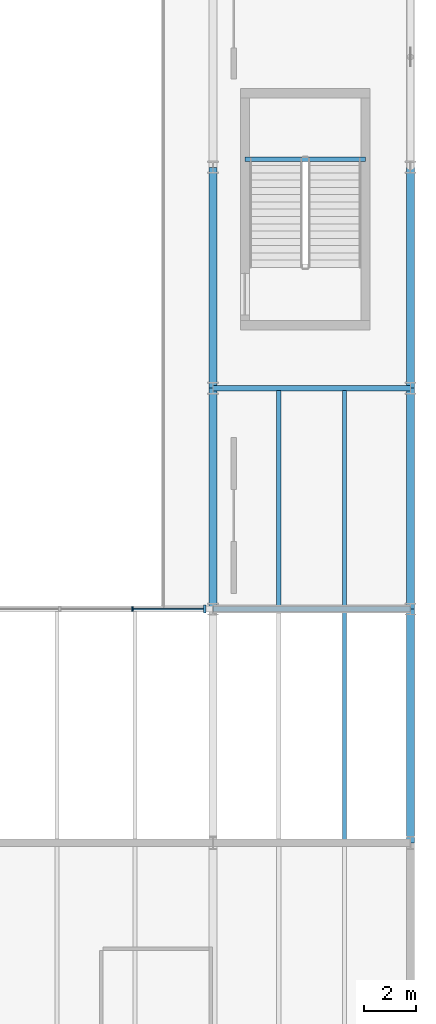
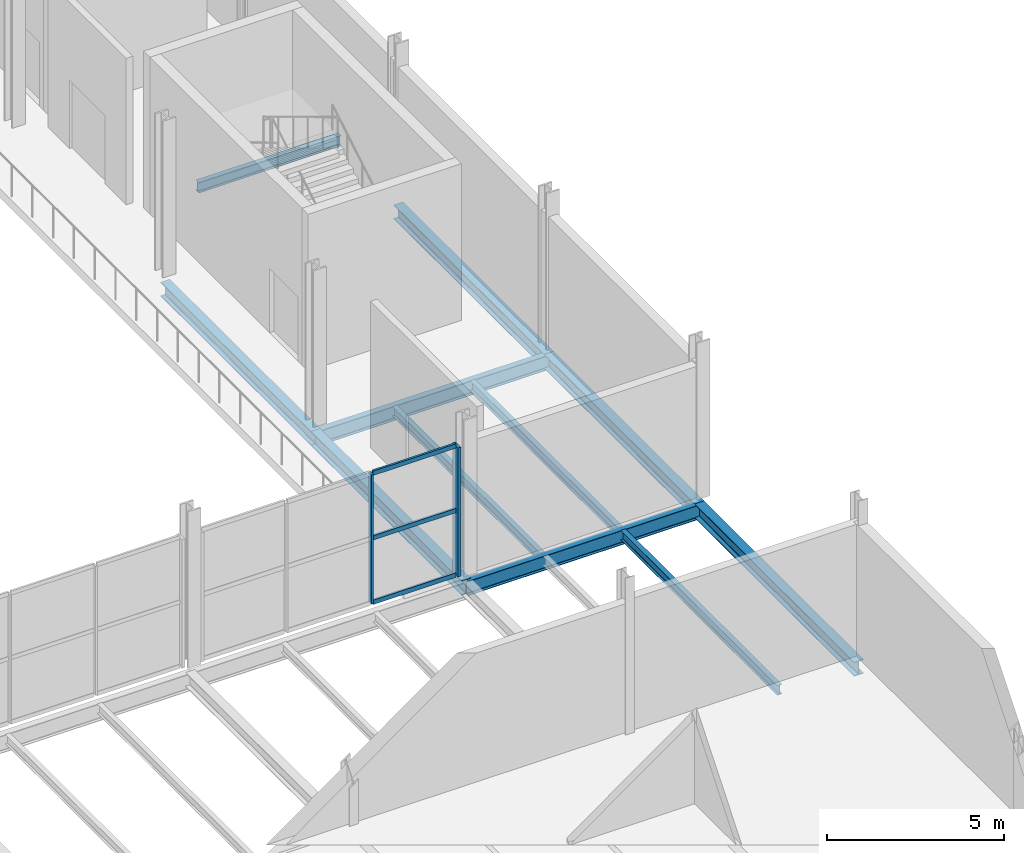
# One storey, part 37 of 78: 11 beams, 5 members, 1 element without a shape of its own.
"""IFC4 building model written with IfcOpenShell, lengths in metres."""

from ifc_helpers import new_model, si_unit, direction, frame, origin, origin_2d, place, context, subcontext, project, spatial, rectangle, i_section, extrude, material, layer, layer_set, material_profile, profile_set, type_object, element, aggregate, save


model = new_model("IFC4")

# Units and contexts
model_context = context("Model", 3, precision=1e-05, world=origin(), true_north=direction((0.0, 1.0)))
body_context = subcontext(model_context, "Body", "Model", "MODEL_VIEW")
ifc_project = project(units=[si_unit("LENGTHUNIT", "METRE"), si_unit("AREAUNIT", "SQUARE_METRE"), si_unit("VOLUMEUNIT", "CUBIC_METRE"), si_unit("PLANEANGLEUNIT", "RADIAN"), si_unit("MASSUNIT", "GRAM", prefix="KILO")], contexts=[model_context])

# Site, building, storey
site_placement = place(None, origin())
site = spatial("IfcSite", under=ifc_project, at=site_placement, CompositionType="ELEMENT")
building_placement = place(site_placement, origin())
building = spatial("IfcBuilding", under=site, at=building_placement, Name="Sefraquen Railside Congress Hotel", CompositionType="ELEMENT")
storey_placement = place(building_placement, frame((0.0, 0.0, 6.0)))
storey = spatial("IfcBuildingStorey", under=building, at=storey_placement, Name="L01", CompositionType="ELEMENT", Elevation=6.0)

# Beams
ifc_material_1 = material(Name="Steel S355JR", Category="steel")
ifc_material_profile_1 = material_profile(ifc_material_1, i_section(OverallWidth=0.169921875, OverallDepth=0.360107421875, WebThickness=0.008056640625, FlangeThickness=0.0126953125, FilletRadius=0.01806640625, at=origin_2d()), Name="IPE 360")
ifc_profile_set_1 = profile_set([ifc_material_profile_1], Name="Steel S355JR")
beam_type_1 = type_object("IfcBeamType", Name="TB-BM-360", PredefinedType="BEAM", material=ifc_profile_set_1)
beam_1_placement = place(storey_placement, frame((165.625, 71.31005859375, 2.320068359375), z_axis=(1.0, 0.0, 0.0), x_axis=(0.0, 1.0, 0.0)))
element("IfcBeam", 1, at=beam_1_placement, inside=storey, type_object=beam_type_1, Name="Stair ST-B02 L01 mid-landing corbel beam", PredefinedType="BEAM", context=body_context, shape_type="SweptSolid", body=[
    extrude(i_section(OverallWidth=0.169921875, OverallDepth=0.360107421875, WebThickness=0.008056640625, FlangeThickness=0.0126953125, FilletRadius=0.01806640625, at=origin_2d()), origin(), (0.0, 0.0, 1.0), 4.64990234375),
])
ifc_material_profile_2 = material_profile(ifc_material_1, i_section(OverallWidth=0.199951171875, OverallDepth=0.5, WebThickness=0.01025390625, FlangeThickness=0.01611328125, FilletRadius=0.02099609375, at=origin_2d()), Name="IPE 500")
ifc_profile_set_2 = profile_set([ifc_material_profile_2], Name="Steel S355JR")
beam_type_2 = type_object("IfcBeamType", Name="TB-BM-500", PredefinedType="BEAM", material=ifc_profile_set_2)
for number, where, z_axis, x_axis, name in (
    (2, (164.39990234375, 54.0, -0.550048828125), (1.0, 0.0, 0.0), (0.0, 1.0, 0.0), "Primary girder BM-L01-0409"),
    (3, (164.39990234375, 62.5, -0.550048828125), (1.0, 0.0, 0.0), (0.0, 1.0, 0.0), "Primary girder BM-L01-0418"),
):
    element("IfcBeam", number, at=place(storey_placement, frame(where, z_axis=z_axis, x_axis=x_axis)), inside=storey, type_object=beam_type_2, Name=name, PredefinedType="BEAM", context=body_context, shape_type="SweptSolid", body=[
        extrude(i_section(OverallWidth=0.199951171875, OverallDepth=0.5, WebThickness=0.01025390625, FlangeThickness=0.01611328125, FilletRadius=0.02099609375, at=origin_2d()), origin(), (0.0, 0.0, 1.0), 7.60009765625),
    ])
ifc_material_profile_3 = material_profile(ifc_material_1, i_section(OverallWidth=0.300048828125, OverallDepth=0.489990234375, WebThickness=0.011962890625, FlangeThickness=0.02294921875, FilletRadius=0.027099609375, at=origin_2d()), Name="HEA 500")
ifc_profile_set_3 = profile_set([ifc_material_profile_3], Name="Steel S355JR")
beam_type_3 = type_object("IfcBeamType", Name="TB-GIR-500", PredefinedType="T_BEAM", material=ifc_profile_set_3)
for number, where, z_axis, x_axis, name in (
    (4, (164.39990234375, 54.0, -0.544921875), (0.0, 1.0, 0.0), (-1.0, 0.0, 0.0), "Floor beam BM-L01-0660"),
    (5, (164.39990234375, 62.5, -0.544921875), (0.0, 1.0, 0.0), (-1.0, 0.0, 0.0), "Floor beam BM-L01-0661"),
):
    element("IfcBeam", number, at=place(storey_placement, frame(where, z_axis=z_axis, x_axis=x_axis)), inside=storey, type_object=beam_type_3, Name=name, PredefinedType="T_BEAM", context=body_context, shape_type="SweptSolid", body=[
        extrude(i_section(OverallWidth=0.300048828125, OverallDepth=0.489990234375, WebThickness=0.011962890625, FlangeThickness=0.02294921875, FilletRadius=0.027099609375, at=origin_2d()), origin(), (0.0, 0.0, 1.0), 8.5),
    ])
beam_2_placement = place(storey_placement, frame((172.0, 45.0, -0.544921875), z_axis=(0.0, 1.0, 0.0), x_axis=(-1.0, 0.0, 0.0)))
element("IfcBeam", 6, at=beam_2_placement, inside=storey, type_object=beam_type_3, Name="Floor beam BM-L01-0669", PredefinedType="T_BEAM", context=body_context, shape_type="SweptSolid", body=[
    extrude(i_section(OverallWidth=0.300048828125, OverallDepth=0.489990234375, WebThickness=0.011962890625, FlangeThickness=0.02294921875, FilletRadius=0.027099609375, at=origin_2d()), origin(), (0.0, 0.0, 1.0), 9.0),
])
for number, where, z_axis, x_axis, name in (
    (7, (172.0, 54.0, -0.544921875), (0.0, 1.0, 0.0), (-1.0, 0.0, 0.0), "Floor beam BM-L01-0670"),
    (8, (172.0, 62.5, -0.544921875), (0.0, 1.0, 0.0), (-1.0, 0.0, 0.0), "Floor beam BM-L01-0671"),
):
    element("IfcBeam", number, at=place(storey_placement, frame(where, z_axis=z_axis, x_axis=x_axis)), inside=storey, type_object=beam_type_3, Name=name, PredefinedType="T_BEAM", context=body_context, shape_type="SweptSolid", body=[
        extrude(i_section(OverallWidth=0.300048828125, OverallDepth=0.489990234375, WebThickness=0.011962890625, FlangeThickness=0.02294921875, FilletRadius=0.027099609375, at=origin_2d()), origin(), (0.0, 0.0, 1.0), 8.5),
    ])
ifc_material_profile_4 = material_profile(ifc_material_1, i_section(OverallWidth=0.159912109375, OverallDepth=0.330078125, WebThickness=0.007568359375, FlangeThickness=0.011474609375, FilletRadius=0.01806640625, at=origin_2d()), Name="IPE 330")
ifc_profile_set_4 = profile_set([ifc_material_profile_4], Name="Steel S355JR")
beam_type_4 = type_object("IfcBeamType", Name="TB-JST-330", PredefinedType="JOIST", material=ifc_profile_set_4)
beam_3_placement = place(storey_placement, frame((169.466796875, 45.080078125, -0.465087890625), z_axis=(0.0, 1.0, 0.0), x_axis=(-1.0, 0.0, 0.0)))
element("IfcBeam", 9, at=beam_3_placement, inside=storey, type_object=beam_type_4, Name="Composite floor joist BM-L01-J0419", PredefinedType="JOIST", context=body_context, shape_type="SweptSolid", body=[
    extrude(i_section(OverallWidth=0.159912109375, OverallDepth=0.330078125, WebThickness=0.007568359375, FlangeThickness=0.011474609375, FilletRadius=0.01806640625, at=origin_2d()), origin(), (0.0, 0.0, 1.0), 8.83984375),
])
for number, where, z_axis, x_axis, name in (
    (10, (166.933349609375, 54.080078125, -0.465087890625), (0.0, 1.0, 0.0), (-1.0, 0.0, 0.0), "Composite floor joist BM-L01-J0420"),
    (11, (169.466796875, 54.080078125, -0.465087890625), (0.0, 1.0, 0.0), (-1.0, 0.0, 0.0), "Composite floor joist BM-L01-J0421"),
):
    element("IfcBeam", number, at=place(storey_placement, frame(where, z_axis=z_axis, x_axis=x_axis)), inside=storey, type_object=beam_type_4, Name=name, PredefinedType="JOIST", context=body_context, shape_type="SweptSolid", body=[
        extrude(i_section(OverallWidth=0.159912109375, OverallDepth=0.330078125, WebThickness=0.007568359375, FlangeThickness=0.011474609375, FilletRadius=0.01806640625, at=origin_2d()), origin(), (0.0, 0.0, 1.0), 8.33984375),
    ])

# Curtain wall, members
ifc_material_2 = material(Name="Thermally broken anodised aluminium and low-E double glazing", Category="aluminium")
ifc_layer = layer(ifc_material_2, 0.199951171875)
ifc_layer_set = layer_set([ifc_layer], Name="Thermally broken anodised aluminium and low-E double glazing")
curtain_wall_type = type_object("IfcCurtainWallType", Name="TCW-UCW-19", PredefinedType="USERDEFINED", material=ifc_layer_set)
curtain_wall_placement = place(storey_placement, origin())
curtain_wall = element("IfcCurtainWall", 12, at=curtain_wall_placement, inside=storey, type_object=curtain_wall_type, Name="Grand Ballroom L01 south curtain wall 4", ObjectType="UNITISED CURTAIN WALL", PredefinedType="USERDEFINED")
ifc_material_3 = material(Name="Thermally broken anodised aluminium 6063-T6", Category="aluminium")
ifc_material_profile_5 = material_profile(ifc_material_3, rectangle(XDim=0.06494140625, YDim=0.179931640625, at=origin_2d()), Name="CWM 65x180")
ifc_profile_set_5 = profile_set([ifc_material_profile_5], Name="Thermally broken anodised aluminium 6063-T6")
member_type_1 = type_object("IfcMemberType", Name="TM-CWM-02", PredefinedType="MULLION", material=ifc_profile_set_5)
member_1_placement = place(storey_placement, frame((161.296630859375, 54.0, 0.0), z_axis=(0.0, 0.0, 1.0), x_axis=(1.0, 0.0, 0.0)))
member_1 = element("IfcMember", 13, at=member_1_placement, type_object=member_type_1, Name="CW-L01-051 mullion 3", PredefinedType="MULLION", context=body_context, shape_type="SweptSolid", body=[
    extrude(rectangle(XDim=0.06494140625, YDim=0.179931640625, at=origin_2d()), origin(), (0.0, 0.0, 1.0), 4.449951171875),
])
ifc_material_profile_6 = material_profile(ifc_material_3, rectangle(XDim=0.094970703125, YDim=0.300048828125, at=origin_2d()), Name="CWM 95x300")
ifc_profile_set_6 = profile_set([ifc_material_profile_6], Name="Thermally broken anodised aluminium 6063-T6")
member_type_2 = type_object("IfcMemberType", Name="TM-CWM-08", PredefinedType="MULLION", material=ifc_profile_set_6)
member_2_placement = place(storey_placement, frame((164.090087890625, 54.0, 0.0), z_axis=(0.0, 0.0, 1.0), x_axis=(1.0, 0.0, 0.0)))
member_2 = element("IfcMember", 14, at=member_2_placement, type_object=member_type_2, Name="CW-L01-051 mullion 4", PredefinedType="MULLION", context=body_context, shape_type="SweptSolid", body=[
    extrude(rectangle(XDim=0.094970703125, YDim=0.300048828125, at=origin_2d()), origin(), (0.0, 0.0, 1.0), 4.449951171875),
])
ifc_material_profile_7 = material_profile(ifc_material_3, rectangle(XDim=0.070068359375, YDim=0.14990234375, at=origin_2d()), Name="CWT 70x150")
ifc_profile_set_7 = profile_set([ifc_material_profile_7], Name="Thermally broken anodised aluminium 6063-T6")
member_type_3 = type_object("IfcMemberType", Name="TM-CWT-03", PredefinedType="USERDEFINED", material=ifc_profile_set_7)
member_3_placement = place(storey_placement, frame((161.341796875, 54.0, 0.0), z_axis=(1.0, 0.0, 0.0), x_axis=(0.0, 1.0, 0.0)))
member_3 = element("IfcMember", 15, at=member_3_placement, type_object=member_type_3, Name="CW-L01-051 transom 1.3", ObjectType="TRANSOM", PredefinedType="USERDEFINED", context=body_context, shape_type="SweptSolid", body=[
    extrude(rectangle(XDim=0.070068359375, YDim=0.14990234375, at=origin_2d()), origin(), (0.0, 0.0, 1.0), 2.703125),
])
member_4_placement = place(storey_placement, frame((161.341796875, 54.0, 2.22509765625), z_axis=(1.0, 0.0, 0.0), x_axis=(0.0, 1.0, 0.0)))
member_4 = element("IfcMember", 16, at=member_4_placement, type_object=member_type_3, Name="CW-L01-051 transom 2.3", ObjectType="TRANSOM", PredefinedType="USERDEFINED", context=body_context, shape_type="SweptSolid", body=[
    extrude(rectangle(XDim=0.070068359375, YDim=0.14990234375, at=origin_2d()), origin(), (0.0, 0.0, 1.0), 2.703125),
])
member_5_placement = place(storey_placement, frame((161.341796875, 54.0, 4.449951171875), z_axis=(1.0, 0.0, 0.0), x_axis=(0.0, 1.0, 0.0)))
member_5 = element("IfcMember", 17, at=member_5_placement, type_object=member_type_3, Name="CW-L01-051 transom 3.3", ObjectType="TRANSOM", PredefinedType="USERDEFINED", context=body_context, shape_type="SweptSolid", body=[
    extrude(rectangle(XDim=0.070068359375, YDim=0.14990234375, at=origin_2d()), origin(), (0.0, 0.0, 1.0), 2.703125),
])
aggregate(curtain_wall, [member_1, member_2, member_3, member_4, member_5])

save(model, "model.ifc")
